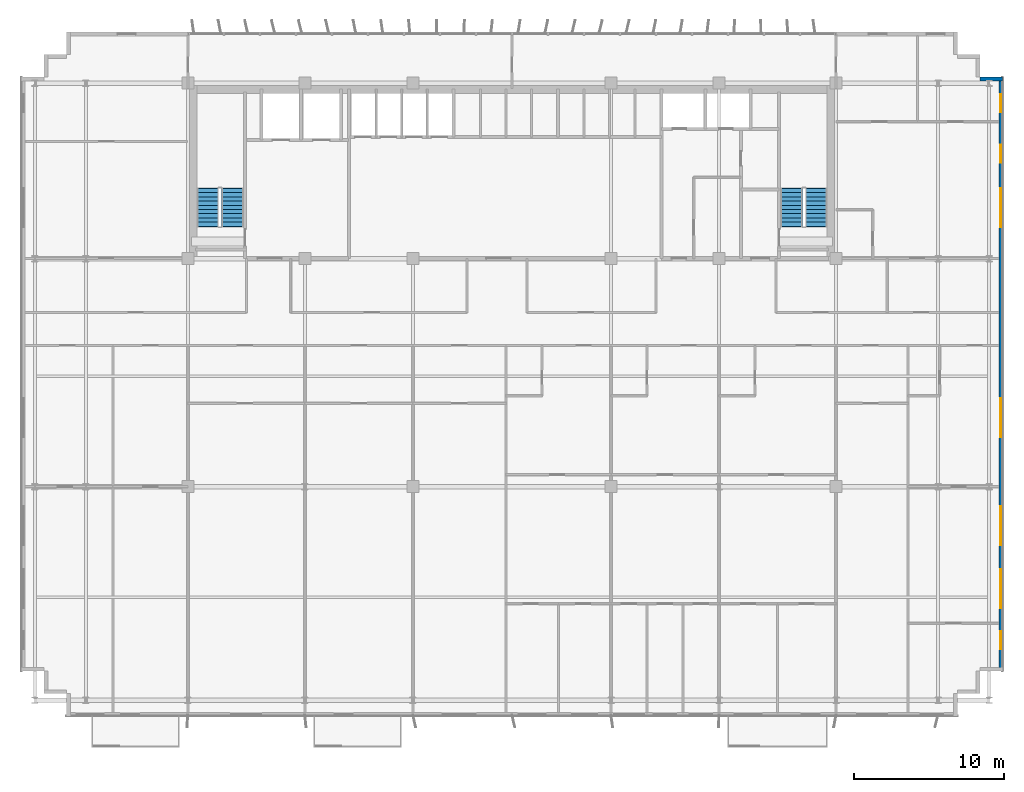
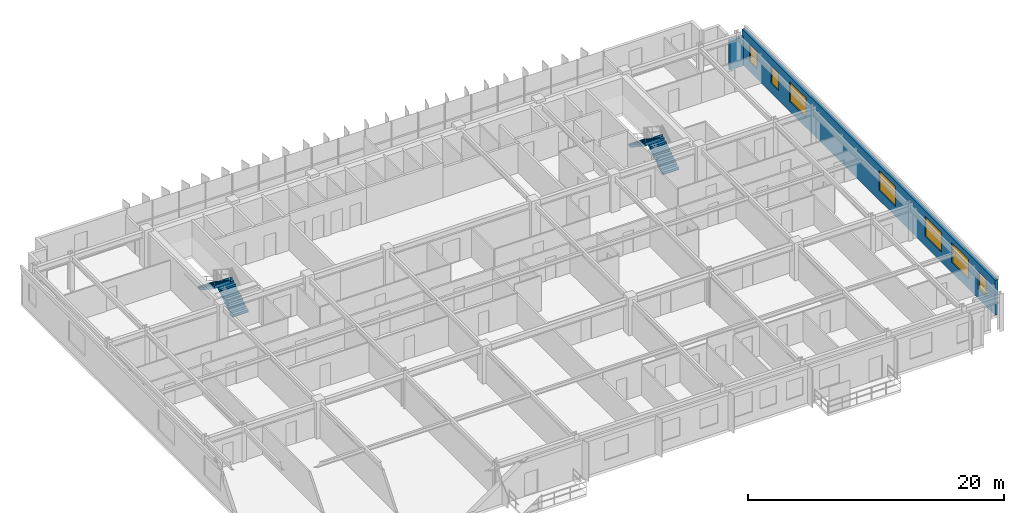
# One storey, part 19 of 22: 7 windows, 4 stair flights, 2 walls, 7 openings, 2 elements without a shape of their own.
"""IFC4 building model written with IfcOpenShell, lengths in metres."""

from ifc_helpers import new_model, si_unit, direction, frame, frame_2d, origin, place, context, subcontext, project, spatial, polyline, rectangle, outline, extrude, source, transform, mapped, material, layer, layer_set, type_object, element, fill, aggregate, save


model = new_model("IFC4")

# Units and contexts
model_context = context("Model", 3, precision=1e-05, world=origin(), true_north=direction((0.0, 1.0)))
body_context = subcontext(model_context, "Body", "Model", "MODEL_VIEW")
ifc_project = project(units=[si_unit("LENGTHUNIT", "METRE"), si_unit("AREAUNIT", "SQUARE_METRE"), si_unit("VOLUMEUNIT", "CUBIC_METRE"), si_unit("PLANEANGLEUNIT", "RADIAN"), si_unit("MASSUNIT", "GRAM", prefix="KILO")], contexts=[model_context])

# Site, building, storey
site_placement = place(None, origin())
site = spatial("IfcSite", under=ifc_project, at=site_placement, CompositionType="ELEMENT")
building_placement = place(site_placement, origin())
building = spatial("IfcBuilding", under=site, at=building_placement, Name="Trelvane Seafront Commons", CompositionType="ELEMENT")
storey_placement = place(building_placement, frame((0.0, 0.0, 88.89990234375)))
storey = spatial("IfcBuildingStorey", under=building, at=storey_placement, Name="L22", CompositionType="ELEMENT", Elevation=88.89990234375)

# Wall
ifc_material_1 = material(Name="Precast concrete C40/50", Category="concrete")
ifc_layer = layer(ifc_material_1, 0.260009765625, Name="ARCH-WALL-EXT260")
ifc_layer_set = layer_set([ifc_layer], Name="Precast concrete C40/50")
wall_type = type_object("IfcWallType", Name="ARCH-WALL-EXT260", PredefinedType="SOLIDWALL", material=ifc_layer_set)
wall_1_placement = place(storey_placement, frame((68.39990234375, 45.3701171875, 0.0), z_axis=(0.0, 0.0, 1.0), x_axis=(1.0, 0.0, 0.0)))
element("IfcWall", 1, at=wall_1_placement, inside=storey, type_object=wall_type, Name="EW-L22-00404", PredefinedType="SOLIDWALL", context=body_context, shape_type="SweptSolid", body=[
    extrude(rectangle(XDim=1.5, YDim=0.260009765625, at=frame_2d((0.75, 0.0))), origin(), (0.0, 0.0, 1.0), 2.752197265625),
])

# Wall, openings, windows
wall_2_placement = place(storey_placement, frame((69.77001953125, 45.5, 0.0), z_axis=(0.0, 0.0, 1.0), x_axis=(0.0, -1.0, 0.0)))
wall_2 = element("IfcWall", 2, at=wall_2_placement, inside=storey, type_object=wall_type, Name="EW-L22-00405", PredefinedType="SOLIDWALL", context=body_context, shape_type="SweptSolid", body=[
    extrude(rectangle(XDim=39.60009765625, YDim=0.260009765625, at=frame_2d((19.800048828125, 0.0))), origin(), (0.0, 0.0, 1.0), 3.340087890625),
])
opening_1_placement = place(wall_2_placement, frame((36.949951171875, 0.0, 0.919921875)))
opening_1 = element("IfcOpeningElement", 3, at=opening_1_placement, cuts=wall_2, Name="Opening W05", PredefinedType="OPENING", context=body_context, shape_type="SweptSolid", body=[
    extrude(rectangle(XDim=1.199951171875, YDim=1.64990234375, at=frame_2d((0.60009765625, 0.824951171875))), frame((0.0, 0.139892578125, 0.0), z_axis=(0.0, -1.0, 0.0), x_axis=(1.0, 0.0, 0.0)), (0.0, 0.0, 1.0), 0.280029296875),
])
opening_2_placement = place(wall_2_placement, frame((32.800048828125, 0.0, 0.919921875)))
opening_2 = element("IfcOpeningElement", 4, at=opening_2_placement, cuts=wall_2, Name="Opening W04", PredefinedType="OPENING", context=body_context, shape_type="SweptSolid", body=[
    extrude(rectangle(XDim=2.60009765625, YDim=1.89990234375, at=frame_2d((1.300048828125, 0.949951171875))), frame((0.0, 0.139892578125, 0.0), z_axis=(0.0, -1.0, 0.0), x_axis=(1.0, 0.0, 0.0)), (0.0, 0.0, 1.0), 0.280029296875),
])
opening_3_placement = place(wall_2_placement, frame((28.60009765625, 0.0, 0.919921875)))
opening_3 = element("IfcOpeningElement", 5, at=opening_3_placement, cuts=wall_2, Name="Opening W04", PredefinedType="OPENING", context=body_context, shape_type="SweptSolid", body=[
    extrude(rectangle(XDim=2.60009765625, YDim=1.89990234375, at=frame_2d((1.300048828125, 0.949951171875))), frame((0.0, 0.139892578125, 0.0), z_axis=(0.0, -1.0, 0.0), x_axis=(1.0, 0.0, 0.0)), (0.0, 0.0, 1.0), 0.280029296875),
])
opening_4_placement = place(wall_2_placement, frame((21.39990234375, 0.0, 0.919921875)))
opening_4 = element("IfcOpeningElement", 6, at=opening_4_placement, cuts=wall_2, Name="Opening W04", PredefinedType="OPENING", context=body_context, shape_type="SweptSolid", body=[
    extrude(rectangle(XDim=2.60009765625, YDim=1.89990234375, at=frame_2d((1.300048828125, 0.949951171875))), frame((0.0, 0.139892578125, 0.0), z_axis=(0.0, -1.0, 0.0), x_axis=(1.0, 0.0, 0.0)), (0.0, 0.0, 1.0), 0.280029296875),
])
opening_5_placement = place(wall_2_placement, frame((7.39990234375, 0.0, 0.919921875)))
opening_5 = element("IfcOpeningElement", 7, at=opening_5_placement, cuts=wall_2, Name="Opening W04", PredefinedType="OPENING", context=body_context, shape_type="SweptSolid", body=[
    extrude(rectangle(XDim=2.60009765625, YDim=1.89990234375, at=frame_2d((1.300048828125, 0.949951171875))), frame((0.0, 0.139892578125, 0.0), z_axis=(0.0, -1.0, 0.0), x_axis=(1.0, 0.0, 0.0)), (0.0, 0.0, 1.0), 0.280029296875),
])
opening_6_placement = place(wall_2_placement, frame((4.5, 0.0, 0.919921875)))
opening_6 = element("IfcOpeningElement", 8, at=opening_6_placement, cuts=wall_2, Name="Opening W05", PredefinedType="OPENING", context=body_context, shape_type="SweptSolid", body=[
    extrude(rectangle(XDim=1.199951171875, YDim=1.64990234375, at=frame_2d((0.60009765625, 0.824951171875))), frame((0.0, 0.139892578125, 0.0), z_axis=(0.0, -1.0, 0.0), x_axis=(1.0, 0.0, 0.0)), (0.0, 0.0, 1.0), 0.280029296875),
])
opening_7_placement = place(wall_2_placement, frame((1.14990234375, 0.0, 0.919921875)))
opening_7 = element("IfcOpeningElement", 9, at=opening_7_placement, cuts=wall_2, Name="Opening W05", PredefinedType="OPENING", context=body_context, shape_type="SweptSolid", body=[
    extrude(rectangle(XDim=1.199951171875, YDim=1.64990234375, at=frame_2d((0.60009765625, 0.824951171875))), frame((0.0, 0.139892578125, 0.0), z_axis=(0.0, -1.0, 0.0), x_axis=(1.0, 0.0, 0.0)), (0.0, 0.0, 1.0), 0.280029296875),
])
ifc_material_2 = material(Name="Low-E coastal double glazing", Category="glass")
window_type_1 = type_object("IfcWindowType", Name="ARCH-WIN-W04", PartitioningType="SINGLE_PANEL", PredefinedType="WINDOW", material=ifc_material_2)
shared_shape_1 = source(origin(), body_context, "Body", "SweptSolid", [
    extrude(rectangle(XDim=2.60009765625, YDim=1.89990234375, at=frame_2d((1.300048828125, 0.949951171875))), frame((0.0, 0.030029296875, 0.0), z_axis=(0.0, -1.0, 0.0), x_axis=(1.0, 0.0, 0.0)), (0.0, 0.0, 1.0), 0.06005859375),
])
window_1_placement = place(opening_2_placement, origin())
window_1 = element("IfcWindow", 10, at=window_1_placement, inside=storey, type_object=window_type_1, Name="WIN-L22-EW-00459", OverallHeight=1.89990234375, OverallWidth=2.60009765625, PartitioningType="SINGLE_PANEL", PredefinedType="WINDOW", context=body_context, shape_type="MappedRepresentation", body=[
    mapped(shared_shape_1, transform((0.0, 0.0, 0.0), x_axis=(1.0, 0.0, 0.0), y_axis=(0.0, 1.0, 0.0), z_axis=(0.0, 0.0, 1.0), scale=1.0)),
])
fill(opening_2, window_1)
window_2_placement = place(opening_3_placement, origin())
window_2 = element("IfcWindow", 11, at=window_2_placement, inside=storey, type_object=window_type_1, Name="WIN-L22-EW-00460", OverallHeight=1.89990234375, OverallWidth=2.60009765625, PartitioningType="SINGLE_PANEL", PredefinedType="WINDOW", context=body_context, shape_type="MappedRepresentation", body=[
    mapped(shared_shape_1, transform((0.0, 0.0, 0.0), x_axis=(1.0, 0.0, 0.0), y_axis=(0.0, 1.0, 0.0), z_axis=(0.0, 0.0, 1.0), scale=1.0)),
])
fill(opening_3, window_2)
window_3_placement = place(opening_4_placement, origin())
window_3 = element("IfcWindow", 12, at=window_3_placement, inside=storey, type_object=window_type_1, Name="WIN-L22-EW-00461", OverallHeight=1.89990234375, OverallWidth=2.60009765625, PartitioningType="SINGLE_PANEL", PredefinedType="WINDOW", context=body_context, shape_type="MappedRepresentation", body=[
    mapped(shared_shape_1, transform((0.0, 0.0, 0.0), x_axis=(1.0, 0.0, 0.0), y_axis=(0.0, 1.0, 0.0), z_axis=(0.0, 0.0, 1.0), scale=1.0)),
])
fill(opening_4, window_3)
window_4_placement = place(opening_5_placement, origin())
window_4 = element("IfcWindow", 13, at=window_4_placement, inside=storey, type_object=window_type_1, Name="WIN-L22-EW-00462", OverallHeight=1.89990234375, OverallWidth=2.60009765625, PartitioningType="SINGLE_PANEL", PredefinedType="WINDOW", context=body_context, shape_type="MappedRepresentation", body=[
    mapped(shared_shape_1, transform((0.0, 0.0, 0.0), x_axis=(1.0, 0.0, 0.0), y_axis=(0.0, 1.0, 0.0), z_axis=(0.0, 0.0, 1.0), scale=1.0)),
])
fill(opening_5, window_4)
window_type_2 = type_object("IfcWindowType", Name="ARCH-WIN-W05", PartitioningType="SINGLE_PANEL", PredefinedType="WINDOW", material=ifc_material_2)
shared_shape_2 = source(origin(), body_context, "Body", "SweptSolid", [
    extrude(rectangle(XDim=1.199951171875, YDim=1.64990234375, at=frame_2d((0.60009765625, 0.824951171875))), frame((0.0, 0.030029296875, 0.0), z_axis=(0.0, -1.0, 0.0), x_axis=(1.0, 0.0, 0.0)), (0.0, 0.0, 1.0), 0.06005859375),
])
window_5_placement = place(opening_1_placement, origin())
window_5 = element("IfcWindow", 14, at=window_5_placement, inside=storey, type_object=window_type_2, Name="WIN-L22-EW-00458", OverallHeight=1.64990234375, OverallWidth=1.199951171875, PartitioningType="SINGLE_PANEL", PredefinedType="WINDOW", context=body_context, shape_type="MappedRepresentation", body=[
    mapped(shared_shape_2, transform((0.0, 0.0, 0.0), x_axis=(1.0, 0.0, 0.0), y_axis=(0.0, 1.0, 0.0), z_axis=(0.0, 0.0, 1.0), scale=1.0)),
])
fill(opening_1, window_5)
window_6_placement = place(opening_6_placement, origin())
window_6 = element("IfcWindow", 15, at=window_6_placement, inside=storey, type_object=window_type_2, Name="WIN-L22-EW-00463", OverallHeight=1.64990234375, OverallWidth=1.199951171875, PartitioningType="SINGLE_PANEL", PredefinedType="WINDOW", context=body_context, shape_type="MappedRepresentation", body=[
    mapped(shared_shape_2, transform((0.0, 0.0, 0.0), x_axis=(1.0, 0.0, 0.0), y_axis=(0.0, 1.0, 0.0), z_axis=(0.0, 0.0, 1.0), scale=1.0)),
])
fill(opening_6, window_6)
window_7_placement = place(opening_7_placement, origin())
window_7 = element("IfcWindow", 16, at=window_7_placement, inside=storey, type_object=window_type_2, Name="WIN-L22-EW-00464", OverallHeight=1.64990234375, OverallWidth=1.199951171875, PartitioningType="SINGLE_PANEL", PredefinedType="WINDOW", context=body_context, shape_type="MappedRepresentation", body=[
    mapped(shared_shape_2, transform((0.0, 0.0, 0.0), x_axis=(1.0, 0.0, 0.0), y_axis=(0.0, 1.0, 0.0), z_axis=(0.0, 0.0, 1.0), scale=1.0)),
])
fill(opening_7, window_7)

# Stair, stair flights
ifc_material_3 = material(Name="Concrete C40/50", Category="concrete")
stair_type_1 = type_object("IfcStairType", Name="ARCH-STR-ST-1-R20-180", PredefinedType="HALF_TURN_STAIR", material=ifc_material_3)
stair_1_placement = place(storey_placement, origin())
stair_1 = element("IfcStair", 17, at=stair_1_placement, inside=storey, type_object=stair_type_1, Name="L22 West Protected Firefighting Exit Stair ST-1", PredefinedType="HALF_TURN_STAIR")
stair_flight_type_1 = type_object("IfcStairFlightType", Name="ARCH-FLG-ST-1-R20-180", PredefinedType="STRAIGHT", material=ifc_material_3)
shared_shape_3 = source(origin(), body_context, "Body", "SweptSolid", [
    extrude(outline(polyline([(-0.050048828125, -0.02001953125), (-0.050048828125, 0.0), (0.0, 0.0), (0.0, 0.179931640625), (0.280029296875, 0.179931640625), (0.280029296875, 0.360107421875), (0.56005859375, 0.360107421875), (0.56005859375, 0.5400390625), (0.840087890625, 0.5400390625), (0.840087890625, 0.719970703125), (1.1201171875, 0.719970703125), (1.1201171875, 0.89990234375), (1.39990234375, 0.89990234375), (1.39990234375, 1.080078125), (1.679931640625, 1.080078125), (1.679931640625, 1.260009765625), (1.9599609375, 1.260009765625), (1.9599609375, 1.43994140625), (2.239990234375, 1.43994140625), (2.239990234375, 1.6201171875), (2.52001953125, 1.6201171875), (2.52001953125, 1.800048828125), (2.570068359375, 1.800048828125), (2.570068359375, 1.650146484375), (2.52001953125, 1.44189453125), (0.277099609375, -0.02001953125), (-0.050048828125, -0.02001953125)])), frame((0.0, 0.72509765625, 0.0), z_axis=(0.0, -1.0, 0.0), x_axis=(1.0, 0.0, 0.0)), (0.0, 0.0, 1.0), 1.449951171875),
])
stair_flight_1_placement = place(storey_placement, frame((18.574951171875, 35.550048828125, 0.0), z_axis=(0.0, 0.0, 1.0), x_axis=(0.0, 1.0, 0.0)))
stair_flight_1 = element("IfcStairFlight", 18, at=stair_flight_1_placement, type_object=stair_flight_type_1, Name="ST-1 flight 1", NumberOfRisers=10, NumberOfTreads=9, PredefinedType="STRAIGHT", RiserHeight=0.18, TreadLength=0.28, context=body_context, shape_type="MappedRepresentation", body=[
    mapped(shared_shape_3, transform((0.0, 0.0, 0.0), x_axis=(1.0, 0.0, 0.0), y_axis=(0.0, 1.0, 0.0), z_axis=(0.0, 0.0, 1.0), scale=1.0)),
])
stair_flight_2_placement = place(storey_placement, frame((16.925048828125, 38.070068359375, 1.800048828125), z_axis=(0.0, 0.0, 1.0), x_axis=(0.0, -1.0, 0.0)))
stair_flight_2 = element("IfcStairFlight", 19, at=stair_flight_2_placement, type_object=stair_flight_type_1, Name="ST-1 flight 2", NumberOfRisers=10, NumberOfTreads=9, PredefinedType="STRAIGHT", RiserHeight=0.18, TreadLength=0.28, context=body_context, shape_type="MappedRepresentation", body=[
    mapped(shared_shape_3, transform((0.0, 0.0, 0.0), x_axis=(1.0, 0.0, 0.0), y_axis=(0.0, 1.0, 0.0), z_axis=(0.0, 0.0, 1.0), scale=1.0)),
])
aggregate(stair_1, [stair_flight_1, stair_flight_2])

stair_type_2 = type_object("IfcStairType", Name="ARCH-STR-ST-2-R20-180", PredefinedType="HALF_TURN_STAIR", material=ifc_material_3)
stair_2_placement = place(storey_placement, origin())
stair_2 = element("IfcStair", 20, at=stair_2_placement, inside=storey, type_object=stair_type_2, Name="L22 East Protected Firefighting Exit Stair ST-2", PredefinedType="HALF_TURN_STAIR")
stair_flight_type_2 = type_object("IfcStairFlightType", Name="ARCH-FLG-ST-2-R20-180", PredefinedType="STRAIGHT", material=ifc_material_3)
stair_flight_3_placement = place(storey_placement, frame((57.47509765625, 35.550048828125, 0.0), z_axis=(0.0, 0.0, 1.0), x_axis=(0.0, 1.0, 0.0)))
stair_flight_3 = element("IfcStairFlight", 21, at=stair_flight_3_placement, type_object=stair_flight_type_2, Name="ST-2 flight 1", NumberOfRisers=10, NumberOfTreads=9, PredefinedType="STRAIGHT", RiserHeight=0.18, TreadLength=0.28, context=body_context, shape_type="MappedRepresentation", body=[
    mapped(shared_shape_3, transform((0.0, 0.0, 0.0), x_axis=(1.0, 0.0, 0.0), y_axis=(0.0, 1.0, 0.0), z_axis=(0.0, 0.0, 1.0), scale=1.0)),
])
stair_flight_4_placement = place(storey_placement, frame((55.824951171875, 38.070068359375, 1.800048828125), z_axis=(0.0, 0.0, 1.0), x_axis=(0.0, -1.0, 0.0)))
stair_flight_4 = element("IfcStairFlight", 22, at=stair_flight_4_placement, type_object=stair_flight_type_2, Name="ST-2 flight 2", NumberOfRisers=10, NumberOfTreads=9, PredefinedType="STRAIGHT", RiserHeight=0.18, TreadLength=0.28, context=body_context, shape_type="MappedRepresentation", body=[
    mapped(shared_shape_3, transform((0.0, 0.0, 0.0), x_axis=(1.0, 0.0, 0.0), y_axis=(0.0, 1.0, 0.0), z_axis=(0.0, 0.0, 1.0), scale=1.0)),
])
aggregate(stair_2, [stair_flight_3, stair_flight_4])

save(model, "model.ifc")
